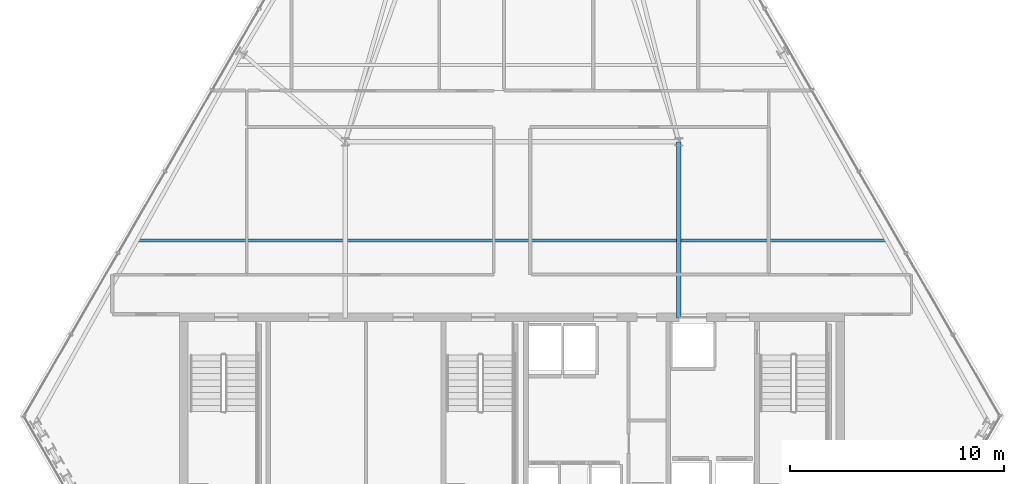
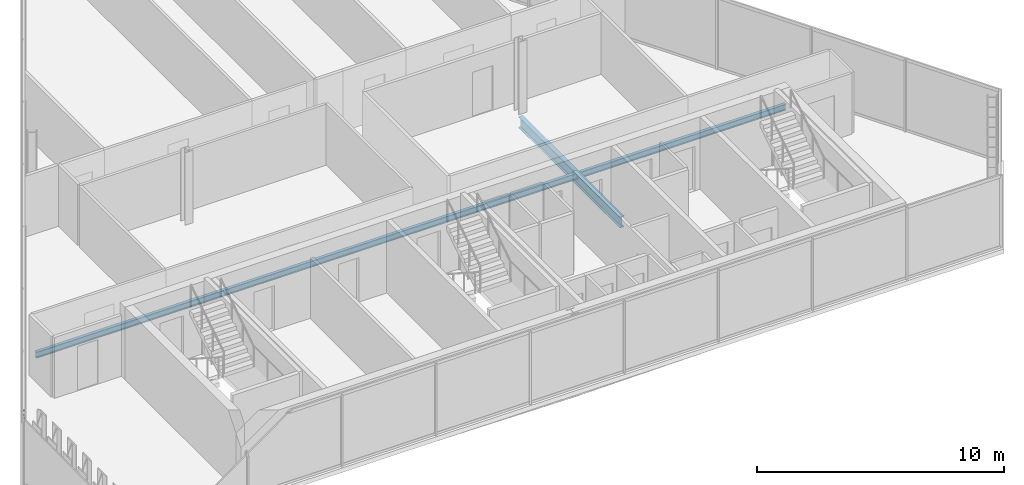
# One storey, part 10 of 32: 2 beams.
"""IFC4 building model written with IfcOpenShell, lengths in metres."""

from ifc_helpers import new_model, si_unit, direction, frame, origin, origin_2d, place, context, subcontext, project, spatial, i_section, extrude, material, material_profile, profile_set, type_object, element, save


model = new_model("IFC4")

# Units and contexts
model_context = context("Model", 3, precision=1e-05, world=origin(), true_north=direction((0.0, 1.0)))
body_context = subcontext(model_context, "Body", "Model", "MODEL_VIEW")
ifc_project = project(units=[si_unit("LENGTHUNIT", "METRE"), si_unit("AREAUNIT", "SQUARE_METRE"), si_unit("VOLUMEUNIT", "CUBIC_METRE"), si_unit("PLANEANGLEUNIT", "RADIAN"), si_unit("MASSUNIT", "GRAM", prefix="KILO")], contexts=[model_context])

# Site, building, storey
site_placement = place(None, origin())
site = spatial("IfcSite", under=ifc_project, at=site_placement, CompositionType="ELEMENT")
building_placement = place(site_placement, origin())
building = spatial("IfcBuilding", under=site, at=building_placement, Name="Ndaravel Arena Tower", CompositionType="ELEMENT")
storey_placement = place(building_placement, frame((0.0, 0.0, 256.0)))
storey = spatial("IfcBuildingStorey", under=building, at=storey_placement, Name="L62", CompositionType="ELEMENT", Elevation=256.0)

# Beams
ifc_material_1 = material(Name="Steel S355", Category="steel")
ifc_material_profile_1 = material_profile(ifc_material_1, i_section(OverallWidth=0.210693359375, OverallDepth=0.53955078125, WebThickness=0.01171875, FlangeThickness=0.018798828125, FilletRadius=0.0126953125, at=origin_2d()), Name="UB 533x210x109")
ifc_profile_set_1 = profile_set([ifc_material_profile_1], Name="Steel S355")
beam_type_1 = type_object("IfcBeamType", Name="BM-GIRD-UB533", PredefinedType="BEAM", material=ifc_profile_set_1)
beam_1_placement = place(storey_placement, frame((49.800048828125, 14.97998046875, -0.48974609375), z_axis=(0.0, 1.0, 0.0), x_axis=(-1.0, 0.0, 0.0)))
element("IfcBeam", 1, at=beam_1_placement, inside=storey, type_object=beam_type_1, Name="L62 Spine Link Girder SLG-02", PredefinedType="BEAM", context=body_context, shape_type="SweptSolid", body=[
    extrude(i_section(OverallWidth=0.210693359375, OverallDepth=0.53955078125, WebThickness=0.01171875, FlangeThickness=0.018798828125, FilletRadius=0.0126953125, at=origin_2d()), origin(), (0.0, 0.0, 1.0), 8.219970703125),
])
ifc_material_2 = material(Name="Steel S355", Category="steel")
ifc_material_profile_2 = material_profile(ifc_material_2, i_section(OverallWidth=0.14990234375, OverallDepth=0.300048828125, WebThickness=0.007080078125, FlangeThickness=0.0107421875, FilletRadius=0.014892578125, at=origin_2d()), Name="IPE 300")
ifc_profile_set_2 = profile_set([ifc_material_profile_2], Name="Steel S355")
beam_type_2 = type_object("IfcBeamType", Name="BM-JOIST-IPE300", PredefinedType="JOIST", material=ifc_profile_set_2)
beam_2_placement = place(storey_placement, frame((24.47802734375, 18.60009765625, -0.3701171875), z_axis=(1.0, 0.0, 0.0), x_axis=(0.0, 1.0, 0.0)))
element("IfcBeam", 2, at=beam_2_placement, inside=storey, type_object=beam_type_2, Name="L62 Composite Floor Joist FJ-01", PredefinedType="JOIST", context=body_context, shape_type="SweptSolid", body=[
    extrude(i_section(OverallWidth=0.14990234375, OverallDepth=0.300048828125, WebThickness=0.007080078125, FlangeThickness=0.0107421875, FilletRadius=0.014892578125, at=origin_2d()), origin(), (0.0, 0.0, 1.0), 35.0439453125),
])

save(model, "model.ifc")
